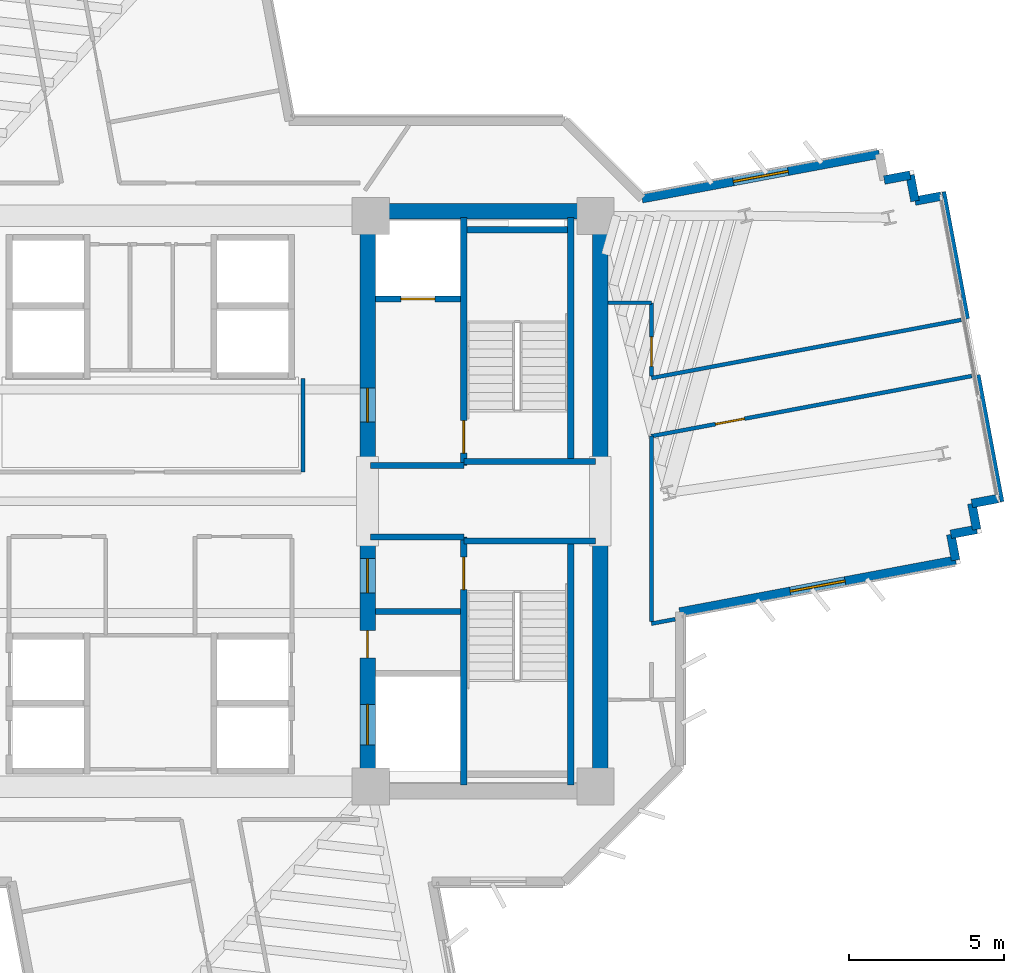
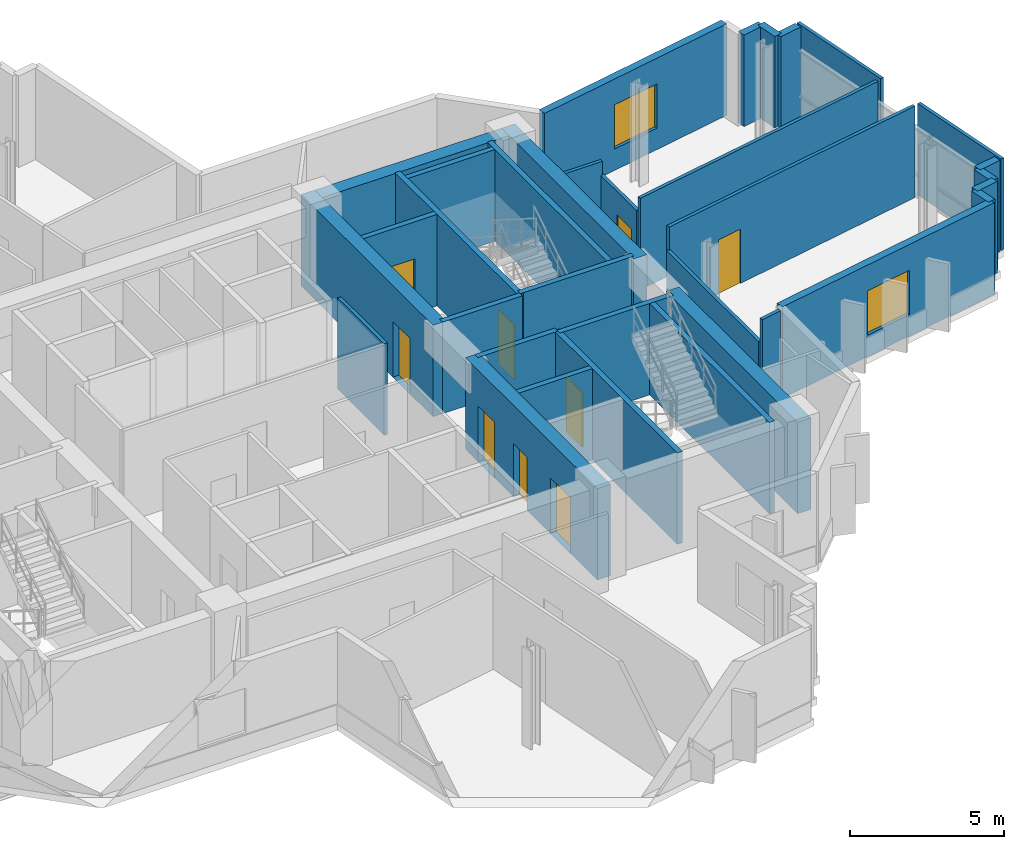
# One storey, part 11 of 16: 34 walls, 9 doors, 2 windows, 11 openings.
"""IFC4 building model written with IfcOpenShell, lengths in metres."""

from ifc_helpers import new_model, si_unit, direction, frame, frame_2d, origin, place, context, subcontext, project, spatial, rectangle, extrude, source, transform, mapped, material, layer, layer_set, type_object, element, fill, save


model = new_model("IFC4")

# Units and contexts
model_context = context("Model", 3, precision=1e-05, world=origin(), true_north=direction((0.0, 1.0)))
body_context = subcontext(model_context, "Body", "Model", "MODEL_VIEW")
ifc_project = project(units=[si_unit("LENGTHUNIT", "METRE"), si_unit("AREAUNIT", "SQUARE_METRE"), si_unit("VOLUMEUNIT", "CUBIC_METRE"), si_unit("PLANEANGLEUNIT", "RADIAN"), si_unit("MASSUNIT", "GRAM", prefix="KILO")], contexts=[model_context])

# Site, building, storey
site_placement = place(None, origin())
site = spatial("IfcSite", under=ifc_project, at=site_placement, CompositionType="ELEMENT")
building_placement = place(site_placement, origin())
building = spatial("IfcBuilding", under=site, at=building_placement, Name="Zahravan Cultural Tower", CompositionType="ELEMENT")
storey_placement = place(building_placement, frame((0.0, 0.0, 155.10009765625)))
storey = spatial("IfcBuildingStorey", under=building, at=storey_placement, Name="L35", CompositionType="ELEMENT", Elevation=155.10009765625)

# Wall, openings, doors
ifc_material_1 = material(Name="Concrete C60/75", Category="concrete")
ifc_layer_1 = layer(ifc_material_1, 0.5)
ifc_layer_set_1 = layer_set([ifc_layer_1], Name="Concrete C60/75")
wall_type_1 = type_object("IfcWallType", Name="CW-SHEAR-500-C60", PredefinedType="SHEAR", material=ifc_layer_set_1)
wall_1_placement = place(storey_placement, frame((43.0, 17.39990234375, 0.0), z_axis=(0.0, 0.0, 1.0), x_axis=(0.0, 1.0, 0.0)))
wall_1 = element("IfcWall", 1, at=wall_1_placement, inside=storey, type_object=wall_type_1, Name="L35 Core Shear Wall CW-E-WS-L35", PredefinedType="SHEAR", context=body_context, shape_type="SweptSolid", body=[
    extrude(rectangle(XDim=8.550048828125, YDim=0.5, at=frame_2d((4.27490234375, 0.0))), origin(), (0.0, 0.0, 1.0), 3.619873046875),
])
opening_1_placement = place(wall_1_placement, frame((6.64990234375, 0.0, 0.0)))
opening_1 = element("IfcOpeningElement", 2, at=opening_1_placement, cuts=wall_1, Name="Opening D-L35-08", PredefinedType="OPENING", context=body_context, shape_type="SweptSolid", body=[
    extrude(rectangle(XDim=1.10009765625, YDim=2.199951171875, at=frame_2d((0.550048828125, 1.10009765625))), frame((0.0, 0.260009765625, 0.0), z_axis=(0.0, -1.0, 0.0), x_axis=(1.0, 0.0, 0.0)), (0.0, 0.0, 1.0), 0.52001953125),
])
opening_2_placement = place(wall_1_placement, frame((1.75, 0.0, 0.0)))
opening_2 = element("IfcOpeningElement", 3, at=opening_2_placement, cuts=wall_1, Name="Opening LD-L35-03", PredefinedType="OPENING", context=body_context, shape_type="SweptSolid", body=[
    extrude(rectangle(XDim=1.300048828125, YDim=2.199951171875, at=frame_2d((0.64990234375, 1.10009765625))), frame((0.0, 0.260009765625, 0.0), z_axis=(0.0, -1.0, 0.0), x_axis=(1.0, 0.0, 0.0)), (0.0, 0.0, 1.0), 0.52001953125),
])
opening_3_placement = place(wall_1_placement, frame((4.550048828125, 0.0, 0.0)))
opening_3 = element("IfcOpeningElement", 4, at=opening_3_placement, cuts=wall_1, Name="Opening D-L35-10", PredefinedType="OPENING", context=body_context, shape_type="SweptSolid", body=[
    extrude(rectangle(XDim=0.8798828125, YDim=2.10009765625, at=frame_2d((0.43994140625, 1.050048828125))), frame((0.0, 0.260009765625, 0.0), z_axis=(0.0, -1.0, 0.0), x_axis=(1.0, 0.0, 0.0)), (0.0, 0.0, 1.0), 0.52001953125),
])
ifc_material_2 = material(Name="Steel ASTM A572 Grade 50", Category="steel")
door_type_1 = type_object("IfcDoorType", Name="DR-LOBBY-1100", OperationType="NOTDEFINED", PredefinedType="DOOR", material=ifc_material_2)
shared_shape_1 = source(origin(), body_context, "Body", "SweptSolid", [
    extrude(rectangle(XDim=1.10009765625, YDim=2.199951171875, at=frame_2d((0.550048828125, 1.10009765625))), frame((0.0, 0.02490234375, 0.0), z_axis=(0.0, -1.0, 0.0), x_axis=(1.0, 0.0, 0.0)), (0.0, 0.0, 1.0), 0.050048828125),
])
door_1_placement = place(opening_1_placement, origin())
door_1 = element("IfcDoor", 5, at=door_1_placement, inside=storey, type_object=door_type_1, Name="L35 Door D-L35-08", OperationType="SINGLE_SWING_RIGHT", OverallHeight=2.199951171875, OverallWidth=1.10009765625, PredefinedType="DOOR", context=body_context, shape_type="MappedRepresentation", body=[
    mapped(shared_shape_1, transform((0.0, 0.0, 0.0), x_axis=(1.0, 0.0, 0.0), y_axis=(0.0, 1.0, 0.0), z_axis=(0.0, 0.0, 1.0), scale=1.0)),
])
fill(opening_1, door_1)
door_type_2 = type_object("IfcDoorType", Name="DR-LIFT-1300", OperationType="DOUBLE_DOOR_SLIDING", PredefinedType="DOOR", material=ifc_material_2)
shared_shape_2 = source(origin(), body_context, "Body", "SweptSolid", [
    extrude(rectangle(XDim=1.300048828125, YDim=2.199951171875, at=frame_2d((0.64990234375, 1.10009765625))), frame((0.0, 0.02490234375, 0.0), z_axis=(0.0, -1.0, 0.0), x_axis=(1.0, 0.0, 0.0)), (0.0, 0.0, 1.0), 0.050048828125),
])
door_2_placement = place(opening_2_placement, origin())
door_2 = element("IfcDoor", 6, at=door_2_placement, inside=storey, type_object=door_type_2, Name="L35 Door LD-L35-03", OperationType="DOUBLE_DOOR_SLIDING", OverallHeight=2.199951171875, OverallWidth=1.300048828125, PredefinedType="DOOR", context=body_context, shape_type="MappedRepresentation", body=[
    mapped(shared_shape_2, transform((0.0, 0.0, 0.0), x_axis=(1.0, 0.0, 0.0), y_axis=(0.0, 1.0, 0.0), z_axis=(0.0, 0.0, 1.0), scale=1.0)),
])
fill(opening_2, door_2)
door_type_3 = type_object("IfcDoorType", Name="DR-SVC-880", OperationType="NOTDEFINED", PredefinedType="DOOR", material=ifc_material_2)
shared_shape_3 = source(origin(), body_context, "Body", "SweptSolid", [
    extrude(rectangle(XDim=0.8798828125, YDim=2.10009765625, at=frame_2d((0.43994140625, 1.050048828125))), frame((0.0, 0.02490234375, 0.0), z_axis=(0.0, -1.0, 0.0), x_axis=(1.0, 0.0, 0.0)), (0.0, 0.0, 1.0), 0.050048828125),
])
door_3_placement = place(opening_3_placement, origin())
door_3 = element("IfcDoor", 7, at=door_3_placement, inside=storey, type_object=door_type_3, Name="L35 Door D-L35-10", OperationType="SINGLE_SWING_RIGHT", OverallHeight=2.10009765625, OverallWidth=0.8798828125, PredefinedType="DOOR", context=body_context, shape_type="MappedRepresentation", body=[
    mapped(shared_shape_3, transform((0.0, 0.0, 0.0), x_axis=(1.0, 0.0, 0.0), y_axis=(0.0, 1.0, 0.0), z_axis=(0.0, 0.0, 1.0), scale=1.0)),
])
fill(opening_3, door_3)

# Wall, opening, door
wall_2_placement = place(storey_placement, frame((43.0, 28.050048828125, 0.0), z_axis=(0.0, 0.0, 1.0), x_axis=(0.0, 1.0, 0.0)))
wall_2 = element("IfcWall", 8, at=wall_2_placement, inside=storey, type_object=wall_type_1, Name="L35 Core Shear Wall CW-E-WN-L35", PredefinedType="SHEAR", context=body_context, shape_type="SweptSolid", body=[
    extrude(rectangle(XDim=8.550048828125, YDim=0.5, at=frame_2d((4.27490234375, 0.0))), origin(), (0.0, 0.0, 1.0), 3.619873046875),
])
opening_4_placement = place(wall_2_placement, frame((1.5, 0.0, 0.0)))
opening_4 = element("IfcOpeningElement", 9, at=opening_4_placement, cuts=wall_2, Name="Opening D-L35-06", PredefinedType="OPENING", context=body_context, shape_type="SweptSolid", body=[
    extrude(rectangle(XDim=1.10009765625, YDim=2.199951171875, at=frame_2d((0.550048828125, 1.10009765625))), frame((0.0, 0.260009765625, 0.0), z_axis=(0.0, -1.0, 0.0), x_axis=(1.0, 0.0, 0.0)), (0.0, 0.0, 1.0), 0.52001953125),
])
door_4_placement = place(opening_4_placement, origin())
door_4 = element("IfcDoor", 10, at=door_4_placement, inside=storey, type_object=door_type_1, Name="L35 Door D-L35-06", OperationType="SINGLE_SWING_RIGHT", OverallHeight=2.199951171875, OverallWidth=1.10009765625, PredefinedType="DOOR", context=body_context, shape_type="MappedRepresentation", body=[
    mapped(shared_shape_1, transform((0.0, 0.0, 0.0), x_axis=(1.0, 0.0, 0.0), y_axis=(0.0, 1.0, 0.0), z_axis=(0.0, 0.0, 1.0), scale=1.0)),
])
fill(opening_4, door_4)

# Wall, opening, window
ifc_material_3 = material(Name="Precast concrete C40/50", Category="concrete")
ifc_layer_2 = layer(ifc_material_3, 0.280029296875)
ifc_layer_set_2 = layer_set([ifc_layer_2], Name="Precast concrete C40/50")
wall_type_2 = type_object("IfcWallType", Name="EW-TC-280", PredefinedType="SOLIDWALL", material=ifc_layer_set_2)
wall_3_placement = place(storey_placement, frame((51.84814453125, 36.75390625, 0.0), z_axis=(0.0, 0.0, 1.0), x_axis=(0.982809278234, 0.18462373254, 0.0)))
wall_3 = element("IfcWall", 11, at=wall_3_placement, inside=storey, type_object=wall_type_2, Name="L35 Exterior Masonry Frame Wall 01", PredefinedType="SOLIDWALL", context=body_context, shape_type="SweptSolid", body=[
    extrude(rectangle(XDim=7.783447265625, YDim=0.280029296875, at=frame_2d((3.8916015625, 0.0))), origin(), (0.0, 0.0, 1.0), 3.619873046875),
])
opening_5_placement = place(wall_3_placement, frame((2.991943359375, 0.0, 0.85009765625)))
opening_5 = element("IfcOpeningElement", 12, at=opening_5_placement, cuts=wall_3, Name="Opening WN-02", PredefinedType="OPENING", context=body_context, shape_type="SweptSolid", body=[
    extrude(rectangle(XDim=1.800048828125, YDim=1.75, at=frame_2d((0.89990234375, 0.875))), frame((0.0, 0.14990234375, 0.0), z_axis=(0.0, -1.0, 0.0), x_axis=(1.0, 0.0, 0.0)), (0.0, 0.0, 1.0), 0.300048828125),
])
ifc_material_4 = material(Name="Low-E solar-control double glazing", Category="glass")
window_type = type_object("IfcWindowType", Name="WN-REC-1800X1750", PartitioningType="DOUBLE_PANEL_VERTICAL", PredefinedType="WINDOW", material=ifc_material_4)
shared_shape_4 = source(origin(), body_context, "Body", "SweptSolid", [
    extrude(rectangle(XDim=1.800048828125, YDim=1.75, at=frame_2d((0.89990234375, 0.875))), frame((0.0, 0.030029296875, 0.0), z_axis=(0.0, -1.0, 0.0), x_axis=(1.0, 0.0, 0.0)), (0.0, 0.0, 1.0), 0.06005859375),
])
window_1_placement = place(opening_5_placement, origin())
window_1 = element("IfcWindow", 13, at=window_1_placement, inside=storey, type_object=window_type, Name="L35 Recessed Solar Window 01", OverallHeight=1.75, OverallWidth=1.800048828125, PartitioningType="DOUBLE_PANEL_VERTICAL", PredefinedType="WINDOW", context=body_context, shape_type="MappedRepresentation", body=[
    mapped(shared_shape_4, transform((0.0, 0.0, 0.0), x_axis=(1.0, 0.0, 0.0), y_axis=(0.0, 1.0, 0.0), z_axis=(0.0, 0.0, 1.0), scale=1.0)),
])
fill(opening_5, window_1)

wall_4_placement = place(storey_placement, frame((61.95703125, 25.099853515625, 0.0), z_axis=(0.0, 0.0, 1.0), x_axis=(-0.982808012228, -0.184630471755, 0.0)))
wall_4 = element("IfcWall", 14, at=wall_4_placement, inside=storey, type_object=wall_type_2, Name="L35 Exterior Masonry Frame Wall 10", PredefinedType="SOLIDWALL", context=body_context, shape_type="SweptSolid", body=[
    extrude(rectangle(XDim=9.052490234375, YDim=0.280029296875, at=frame_2d((4.5263671875, 0.0))), origin(), (0.0, 0.0, 1.0), 3.619873046875),
])
opening_6_placement = place(wall_4_placement, frame((3.6259765625, 0.0, 0.85009765625)))
opening_6 = element("IfcOpeningElement", 15, at=opening_6_placement, cuts=wall_4, Name="Opening WN-02", PredefinedType="OPENING", context=body_context, shape_type="SweptSolid", body=[
    extrude(rectangle(XDim=1.800048828125, YDim=1.75, at=frame_2d((0.89990234375, 0.875))), frame((0.0, 0.14990234375, 0.0), z_axis=(0.0, -1.0, 0.0), x_axis=(1.0, 0.0, 0.0)), (0.0, 0.0, 1.0), 0.300048828125),
])
window_2_placement = place(opening_6_placement, origin())
window_2 = element("IfcWindow", 16, at=window_2_placement, inside=storey, type_object=window_type, Name="L35 Recessed Solar Window 02", OverallHeight=1.75, OverallWidth=1.800048828125, PartitioningType="DOUBLE_PANEL_VERTICAL", PredefinedType="WINDOW", context=body_context, shape_type="MappedRepresentation", body=[
    mapped(shared_shape_4, transform((0.0, 0.0, 0.0), x_axis=(1.0, 0.0, 0.0), y_axis=(0.0, 1.0, 0.0), z_axis=(0.0, 0.0, 1.0), scale=1.0)),
])
fill(opening_6, window_2)

# Wall, opening, door
ifc_material_5 = material(Name="Gypsum plasterboard partition")
ifc_layer_3 = layer(ifc_material_5, 0.125)
ifc_layer_set_3 = layer_set([ifc_layer_3], Name="Gypsum plasterboard partition")
wall_type_3 = type_object("IfcWallType", Name="W-PART-125", PredefinedType="PARTITIONING", material=ifc_layer_set_3)
wall_5_placement = place(storey_placement, frame((52.150146484375, 29.097900390625, 0.0), z_axis=(0.0, 0.0, 1.0), x_axis=(0.982805559331, 0.184643528314, 0.0)))
wall_5 = element("IfcWall", 17, at=wall_5_placement, inside=storey, type_object=wall_type_3, Name="L35 Interior Wall 092", PredefinedType="PARTITIONING", context=body_context, shape_type="SweptSolid", body=[
    extrude(rectangle(XDim=10.505126953125, YDim=0.125, at=frame_2d((5.25244140625, 0.0))), origin(), (0.0, 0.0, 1.0), 3.619873046875),
])
opening_7_placement = place(wall_5_placement, frame((2.102294921875, 0.0, 0.0)))
opening_7 = element("IfcOpeningElement", 18, at=opening_7_placement, cuts=wall_5, Name="Opening D-L35-19", PredefinedType="OPENING", context=body_context, shape_type="SweptSolid", body=[
    extrude(rectangle(XDim=0.949951171875, YDim=2.14990234375, at=frame_2d((0.47509765625, 1.074951171875))), frame((0.0, 0.072509765625, 0.0), z_axis=(0.0, -1.0, 0.0), x_axis=(1.0, 0.0, 0.0)), (0.0, 0.0, 1.0), 0.14501953125),
])
ifc_material_6 = material(Name="Anodised bronze-aluminium mullion", Category="aluminium")
door_type_4 = type_object("IfcDoorType", Name="DR-ROOM-950", OperationType="NOTDEFINED", PredefinedType="DOOR", material=ifc_material_6)
shared_shape_5 = source(origin(), body_context, "Body", "SweptSolid", [
    extrude(rectangle(XDim=0.949951171875, YDim=2.14990234375, at=frame_2d((0.47509765625, 1.074951171875))), frame((0.0, 0.02490234375, 0.0), z_axis=(0.0, -1.0, 0.0), x_axis=(1.0, 0.0, 0.0)), (0.0, 0.0, 1.0), 0.050048828125),
])
door_5_placement = place(opening_7_placement, origin())
door_5 = element("IfcDoor", 19, at=door_5_placement, inside=storey, type_object=door_type_4, Name="L35 Door D-L35-19", OperationType="SINGLE_SWING_LEFT", OverallHeight=2.14990234375, OverallWidth=0.949951171875, PredefinedType="DOOR", context=body_context, shape_type="MappedRepresentation", body=[
    mapped(shared_shape_5, transform((0.0, 0.0, 0.0), x_axis=(1.0, 0.0, 0.0), y_axis=(0.0, 1.0, 0.0), z_axis=(0.0, 0.0, 1.0), scale=1.0)),
])
fill(opening_7, door_5)

wall_6_placement = place(storey_placement, frame((52.14990234375, 31.038818359375, 0.0), z_axis=(0.0, 0.0, 1.0), x_axis=(-0.0004137788, 0.999999914394, 0.0)))
wall_6 = element("IfcWall", 20, at=wall_6_placement, inside=storey, type_object=wall_type_3, Name="L35 Interior Wall 103", PredefinedType="PARTITIONING", context=body_context, shape_type="SweptSolid", body=[
    extrude(rectangle(XDim=2.360107421875, YDim=0.125, at=frame_2d((1.18017578125, 0.0))), origin(), (0.0, 0.0, 1.0), 3.078857421875),
])
opening_8_placement = place(wall_6_placement, frame((0.310302734375, 0.0, 0.0)))
opening_8 = element("IfcOpeningElement", 21, at=opening_8_placement, cuts=wall_6, Name="Opening D-L35-20", PredefinedType="OPENING", context=body_context, shape_type="SweptSolid", body=[
    extrude(rectangle(XDim=0.949951171875, YDim=2.14990234375, at=frame_2d((0.47509765625, 1.074951171875))), frame((0.0, 0.072509765625, 0.0), z_axis=(0.0, -1.0, 0.0), x_axis=(1.0, 0.0, 0.0)), (0.0, 0.0, 1.0), 0.14501953125),
])
door_6_placement = place(opening_8_placement, origin())
door_6 = element("IfcDoor", 22, at=door_6_placement, inside=storey, type_object=door_type_4, Name="L35 Door D-L35-20", OperationType="SINGLE_SWING_RIGHT", OverallHeight=2.14990234375, OverallWidth=0.949951171875, PredefinedType="DOOR", context=body_context, shape_type="MappedRepresentation", body=[
    mapped(shared_shape_5, transform((0.0, 0.0, 0.0), x_axis=(1.0, 0.0, 0.0), y_axis=(0.0, 1.0, 0.0), z_axis=(0.0, 0.0, 1.0), scale=1.0)),
])
fill(opening_8, door_6)

ifc_material_7 = material(Name="Concrete C45/55", Category="concrete")
ifc_layer_4 = layer(ifc_material_7, 0.199951171875)
ifc_layer_set_4 = layer_set([ifc_layer_4], Name="Concrete C45/55")
wall_type_4 = type_object("IfcWallType", Name="W-SHAFT-200", PredefinedType="SOLIDWALL", material=ifc_layer_set_4)
wall_7_placement = place(storey_placement, frame((46.10009765625, 17.85009765625, 0.0), z_axis=(0.0, 0.0, 1.0), x_axis=(0.0, 1.0, 0.0)))
wall_7 = element("IfcWall", 23, at=wall_7_placement, inside=storey, type_object=wall_type_4, Name="L35 Interior Wall 007", PredefinedType="SOLIDWALL", context=body_context, shape_type="SweptSolid", body=[
    extrude(rectangle(XDim=8.0, YDim=0.199951171875, at=frame_2d((4.0, 0.0))), origin(), (0.0, 0.0, 1.0), 3.619873046875),
])
opening_9_placement = place(wall_7_placement, frame((6.300048828125, 0.0, 0.0)))
opening_9 = element("IfcOpeningElement", 24, at=opening_9_placement, cuts=wall_7, Name="Opening D-L35-03", PredefinedType="OPENING", context=body_context, shape_type="SweptSolid", body=[
    extrude(rectangle(XDim=1.050048828125, YDim=2.14990234375, at=frame_2d((0.52490234375, 1.074951171875))), frame((0.0, 0.10986328125, 0.0), z_axis=(0.0, -1.0, 0.0), x_axis=(1.0, 0.0, 0.0)), (0.0, 0.0, 1.0), 0.219970703125),
])
door_type_5 = type_object("IfcDoorType", Name="DR-STAIR-1050", OperationType="NOTDEFINED", PredefinedType="DOOR", material=ifc_material_2)
shared_shape_6 = source(origin(), body_context, "Body", "SweptSolid", [
    extrude(rectangle(XDim=1.050048828125, YDim=2.14990234375, at=frame_2d((0.52490234375, 1.074951171875))), frame((0.0, 0.02490234375, 0.0), z_axis=(0.0, -1.0, 0.0), x_axis=(1.0, 0.0, 0.0)), (0.0, 0.0, 1.0), 0.050048828125),
])
door_7_placement = place(opening_9_placement, origin())
door_7 = element("IfcDoor", 25, at=door_7_placement, inside=storey, type_object=door_type_5, Name="L35 Door D-L35-03", OperationType="SINGLE_SWING_LEFT", OverallHeight=2.14990234375, OverallWidth=1.050048828125, PredefinedType="DOOR", context=body_context, shape_type="MappedRepresentation", body=[
    mapped(shared_shape_6, transform((0.0, 0.0, 0.0), x_axis=(1.0, 0.0, 0.0), y_axis=(0.0, 1.0, 0.0), z_axis=(0.0, 0.0, 1.0), scale=1.0)),
])
fill(opening_9, door_7)

wall_8_placement = place(storey_placement, frame((46.10009765625, 28.14990234375, 0.0), z_axis=(0.0, 0.0, 1.0), x_axis=(0.0, 1.0, 0.0)))
wall_8 = element("IfcWall", 26, at=wall_8_placement, inside=storey, type_object=wall_type_4, Name="L35 Interior Wall 008", PredefinedType="SOLIDWALL", context=body_context, shape_type="SweptSolid", body=[
    extrude(rectangle(XDim=8.0, YDim=0.199951171875, at=frame_2d((4.0, 0.0))), origin(), (0.0, 0.0, 1.0), 3.619873046875),
])
opening_10_placement = place(wall_8_placement, frame((0.39990234375, 0.0, 0.0)))
opening_10 = element("IfcOpeningElement", 27, at=opening_10_placement, cuts=wall_8, Name="Opening D-L35-02", PredefinedType="OPENING", context=body_context, shape_type="SweptSolid", body=[
    extrude(rectangle(XDim=1.050048828125, YDim=2.14990234375, at=frame_2d((0.52490234375, 1.074951171875))), frame((0.0, 0.10986328125, 0.0), z_axis=(0.0, -1.0, 0.0), x_axis=(1.0, 0.0, 0.0)), (0.0, 0.0, 1.0), 0.219970703125),
])
door_8_placement = place(opening_10_placement, origin())
door_8 = element("IfcDoor", 28, at=door_8_placement, inside=storey, type_object=door_type_5, Name="L35 Door D-L35-02", OperationType="SINGLE_SWING_RIGHT", OverallHeight=2.14990234375, OverallWidth=1.050048828125, PredefinedType="DOOR", context=body_context, shape_type="MappedRepresentation", body=[
    mapped(shared_shape_6, transform((0.0, 0.0, 0.0), x_axis=(1.0, 0.0, 0.0), y_axis=(0.0, 1.0, 0.0), z_axis=(0.0, 0.0, 1.0), scale=1.0)),
])
fill(opening_10, door_8)

wall_9_placement = place(storey_placement, frame((43.25, 33.52001953125, 0.0), z_axis=(0.0, 0.0, 1.0), x_axis=(1.0, 0.0, 0.0)))
wall_9 = element("IfcWall", 29, at=wall_9_placement, inside=storey, type_object=wall_type_4, Name="L35 Interior Wall 022", PredefinedType="SOLIDWALL", context=body_context, shape_type="SweptSolid", body=[
    extrude(rectangle(XDim=2.75, YDim=0.199951171875, at=frame_2d((1.375, 0.0))), origin(), (0.0, 0.0, 1.0), 3.619873046875),
])
opening_11_placement = place(wall_9_placement, frame((0.820068359375, 0.0, 0.0)))
opening_11 = element("IfcOpeningElement", 30, at=opening_11_placement, cuts=wall_9, Name="Opening LD-L35-02", PredefinedType="OPENING", context=body_context, shape_type="SweptSolid", body=[
    extrude(rectangle(XDim=1.10009765625, YDim=2.14990234375, at=frame_2d((0.550048828125, 1.074951171875))), frame((0.0, 0.10986328125, 0.0), z_axis=(0.0, -1.0, 0.0), x_axis=(1.0, 0.0, 0.0)), (0.0, 0.0, 1.0), 0.219970703125),
])
door_type_6 = type_object("IfcDoorType", Name="DR-LIFT-1100", OperationType="DOUBLE_DOOR_SLIDING", PredefinedType="DOOR", material=ifc_material_2)
shared_shape_7 = source(origin(), body_context, "Body", "SweptSolid", [
    extrude(rectangle(XDim=1.10009765625, YDim=2.14990234375, at=frame_2d((0.550048828125, 1.074951171875))), frame((0.0, 0.02490234375, 0.0), z_axis=(0.0, -1.0, 0.0), x_axis=(1.0, 0.0, 0.0)), (0.0, 0.0, 1.0), 0.050048828125),
])
door_9_placement = place(opening_11_placement, origin())
door_9 = element("IfcDoor", 31, at=door_9_placement, inside=storey, type_object=door_type_6, Name="L35 Door LD-L35-02", OperationType="DOUBLE_DOOR_SLIDING", OverallHeight=2.14990234375, OverallWidth=1.10009765625, PredefinedType="DOOR", context=body_context, shape_type="MappedRepresentation", body=[
    mapped(shared_shape_7, transform((0.0, 0.0, 0.0), x_axis=(1.0, 0.0, 0.0), y_axis=(0.0, 1.0, 0.0), z_axis=(0.0, 0.0, 1.0), scale=1.0)),
])
fill(opening_11, door_9)

# Walls
shared_shape_8 = source(origin(), body_context, "Body", "SweptSolid", [
    extrude(rectangle(XDim=8.550048828125, YDim=0.5, at=frame_2d((4.27490234375, 0.0))), origin(), (0.0, 0.0, 1.0), 3.619873046875),
])
for number, where, z_axis, x_axis, name in (
    (32, (50.5, 17.39990234375, 0.0), (0.0, 0.0, 1.0), (0.0, 1.0, 0.0), "L35 Core Shear Wall CW-E-ES-L35"),
    (33, (50.5, 28.050048828125, 0.0), (0.0, 0.0, 1.0), (0.0, 1.0, 0.0), "L35 Core Shear Wall CW-E-EN-L35"),
):
    element("IfcWall", number, at=place(storey_placement, frame(where, z_axis=z_axis, x_axis=x_axis)), inside=storey, type_object=wall_type_1, Name=name, PredefinedType="SHEAR", context=body_context, shape_type="MappedRepresentation", body=[
        mapped(shared_shape_8, transform((0.0, 0.0, 0.0), x_axis=(1.0, 0.0, 0.0), y_axis=(0.0, 1.0, 0.0), z_axis=(0.0, 0.0, 1.0), scale=1.0)),
    ])
shared_shape_9 = source(origin(), body_context, "Body", "SweptSolid", [
    extrude(rectangle(XDim=7.0, YDim=0.5, at=frame_2d((3.5, 0.0))), origin(), (0.0, 0.0, 1.0), 3.619873046875),
])
wall_10_placement = place(storey_placement, frame((43.25, 36.35009765625, 0.0), z_axis=(0.0, 0.0, 1.0), x_axis=(1.0, 0.0, 0.0)))
element("IfcWall", 34, at=wall_10_placement, inside=storey, type_object=wall_type_1, Name="L35 Core Shear Wall CW-E-N-L35", PredefinedType="SHEAR", context=body_context, shape_type="MappedRepresentation", body=[
    mapped(shared_shape_9, transform((0.0, 0.0, 0.0), x_axis=(1.0, 0.0, 0.0), y_axis=(0.0, 1.0, 0.0), z_axis=(0.0, 0.0, 1.0), scale=1.0)),
])
shared_shape_10 = source(origin(), body_context, "Body", "SweptSolid", [
    extrude(rectangle(XDim=0.85009765625, YDim=0.280029296875, at=frame_2d((0.425048828125, 0.0))), origin(), (0.0, 0.0, 1.0), 3.619873046875),
])
for number, where, z_axis, x_axis, name in (
    (35, (60.64697265625, 36.67724609375, 0.0), (0.0, 0.0, 1.0), (0.982852672425, 0.184392582027, 0.0), "L35 Exterior Masonry Frame Wall 05"),
    (36, (63.31396484375, 27.084716796875, 0.0), (0.0, 0.0, 1.0), (-0.982800583684, -0.184670010318, 0.0), "L35 Exterior Masonry Frame Wall 06"),
    (37, (62.478515625, 26.927734375, 0.0), (0.0, 0.0, 1.0), (0.184670010318, -0.982800583684, 0.0), "L35 Exterior Masonry Frame Wall 07"),
    (38, (61.80029296875, 25.935302734375, 0.0), (0.0, 0.0, 1.0), (0.184392582027, -0.982852672425, 0.0), "L35 Exterior Masonry Frame Wall 09"),
):
    element("IfcWall", number, at=place(storey_placement, frame(where, z_axis=z_axis, x_axis=x_axis)), inside=storey, type_object=wall_type_2, Name=name, PredefinedType="SOLIDWALL", context=body_context, shape_type="MappedRepresentation", body=[
        mapped(shared_shape_10, transform((0.0, 0.0, 0.0), x_axis=(1.0, 0.0, 0.0), y_axis=(0.0, 1.0, 0.0), z_axis=(0.0, 0.0, 1.0), scale=1.0)),
    ])
shared_shape_11 = source(origin(), body_context, "Body", "SweptSolid", [
    extrude(rectangle(XDim=0.849853515625, YDim=0.280029296875, at=frame_2d((0.4248046875, 0.0))), origin(), (0.0, 0.0, 1.0), 3.619873046875),
])
for number, where, z_axis, x_axis, name in (
    (39, (59.65478515625, 37.35546875, 0.0), (0.0, 0.0, 1.0), (0.982790785128, 0.184722149909, 0.0), "L35 Exterior Masonry Frame Wall 03"),
    (40, (60.489990234375, 37.512451171875, 0.0), (0.0, 0.0, 1.0), (0.184722149909, -0.982790785128, 0.0), "L35 Exterior Masonry Frame Wall 04"),
    (41, (62.635498046875, 26.09228515625, 0.0), (0.0, 0.0, 1.0), (-0.982790785128, -0.184722149909, 0.0), "L35 Exterior Masonry Frame Wall 08"),
):
    element("IfcWall", number, at=place(storey_placement, frame(where, z_axis=z_axis, x_axis=x_axis)), inside=storey, type_object=wall_type_2, Name=name, PredefinedType="SOLIDWALL", context=body_context, shape_type="MappedRepresentation", body=[
        mapped(shared_shape_11, transform((0.0, 0.0, 0.0), x_axis=(1.0, 0.0, 0.0), y_axis=(0.0, 1.0, 0.0), z_axis=(0.0, 0.0, 1.0), scale=1.0)),
    ])
shared_shape_12 = source(origin(), body_context, "Body", "SweptSolid", [
    extrude(rectangle(XDim=7.869873046875, YDim=0.199951171875, at=frame_2d((3.93505859375, 0.0))), origin(), (0.0, 0.0, 1.0), 3.619873046875),
])
for number, where, z_axis, x_axis, name in (
    (42, (49.550048828125, 17.85009765625, 0.0), (0.0, 0.0, 1.0), (0.0, 1.0, 0.0), "L35 Interior Wall 003"),
    (43, (49.550048828125, 28.280029296875, 0.0), (0.0, 0.0, 1.0), (0.0, 1.0, 0.0), "L35 Interior Wall 004"),
):
    element("IfcWall", number, at=place(storey_placement, frame(where, z_axis=z_axis, x_axis=x_axis)), inside=storey, type_object=wall_type_4, Name=name, PredefinedType="SOLIDWALL", context=body_context, shape_type="MappedRepresentation", body=[
        mapped(shared_shape_12, transform((0.0, 0.0, 0.0), x_axis=(1.0, 0.0, 0.0), y_axis=(0.0, 1.0, 0.0), z_axis=(0.0, 0.0, 1.0), scale=1.0)),
    ])
shared_shape_13 = source(origin(), body_context, "Body", "SweptSolid", [
    extrude(rectangle(XDim=4.25, YDim=0.199951171875, at=frame_2d((2.125, 0.0))), origin(), (0.0, 0.0, 1.0), 3.619873046875),
])
for number, where, z_axis, x_axis, name in (
    (44, (46.10009765625, 25.715087890625, 0.0), (0.0, 0.0, 1.0), (1.0, 0.0, 0.0), "L35 Interior Wall 014"),
    (45, (46.10009765625, 28.284912109375, 0.0), (0.0, 0.0, 1.0), (1.0, 0.0, 0.0), "L35 Interior Wall 016"),
):
    element("IfcWall", number, at=place(storey_placement, frame(where, z_axis=z_axis, x_axis=x_axis)), inside=storey, type_object=wall_type_4, Name=name, PredefinedType="SOLIDWALL", context=body_context, shape_type="MappedRepresentation", body=[
        mapped(shared_shape_13, transform((0.0, 0.0, 0.0), x_axis=(1.0, 0.0, 0.0), y_axis=(0.0, 1.0, 0.0), z_axis=(0.0, 0.0, 1.0), scale=1.0)),
    ])
shared_shape_14 = source(origin(), body_context, "Body", "SweptSolid", [
    extrude(rectangle(XDim=3.0, YDim=0.199951171875, at=frame_2d((1.5, 0.0))), origin(), (0.0, 0.0, 1.0), 3.619873046875),
])
for number, where, z_axis, x_axis, name in (
    (46, (43.10009765625, 25.85009765625, 0.0), (0.0, 0.0, 1.0), (1.0, 0.0, 0.0), "L35 Interior Wall 013"),
    (47, (43.10009765625, 28.14990234375, 0.0), (0.0, 0.0, 1.0), (1.0, 0.0, 0.0), "L35 Interior Wall 015"),
):
    element("IfcWall", number, at=place(storey_placement, frame(where, z_axis=z_axis, x_axis=x_axis)), inside=storey, type_object=wall_type_4, Name=name, PredefinedType="SOLIDWALL", context=body_context, shape_type="MappedRepresentation", body=[
        mapped(shared_shape_14, transform((0.0, 0.0, 0.0), x_axis=(1.0, 0.0, 0.0), y_axis=(0.0, 1.0, 0.0), z_axis=(0.0, 0.0, 1.0), scale=1.0)),
    ])
shared_shape_15 = source(origin(), body_context, "Body", "SweptSolid", [
    extrude(rectangle(XDim=3.25, YDim=0.199951171875, at=frame_2d((1.625, 0.0))), origin(), (0.0, 0.0, 1.0), 3.619873046875),
])
wall_11_placement = place(storey_placement, frame((46.199951171875, 35.75, 0.0), z_axis=(0.0, 0.0, 1.0), x_axis=(1.0, 0.0, 0.0)))
element("IfcWall", 48, at=wall_11_placement, inside=storey, type_object=wall_type_4, Name="L35 Interior Wall 018", PredefinedType="SOLIDWALL", context=body_context, shape_type="MappedRepresentation", body=[
    mapped(shared_shape_15, transform((0.0, 0.0, 0.0), x_axis=(1.0, 0.0, 0.0), y_axis=(0.0, 1.0, 0.0), z_axis=(0.0, 0.0, 1.0), scale=1.0)),
])
shared_shape_16 = source(origin(), body_context, "Body", "SweptSolid", [
    extrude(rectangle(XDim=2.75, YDim=0.199951171875, at=frame_2d((1.375, 0.0))), origin(), (0.0, 0.0, 1.0), 3.619873046875),
])
wall_12_placement = place(storey_placement, frame((43.25, 23.449951171875, 0.0), z_axis=(0.0, 0.0, 1.0), x_axis=(1.0, 0.0, 0.0)))
element("IfcWall", 49, at=wall_12_placement, inside=storey, type_object=wall_type_4, Name="L35 Interior Wall 024", PredefinedType="SOLIDWALL", context=body_context, shape_type="MappedRepresentation", body=[
    mapped(shared_shape_16, transform((0.0, 0.0, 0.0), x_axis=(1.0, 0.0, 0.0), y_axis=(0.0, 1.0, 0.0), z_axis=(0.0, 0.0, 1.0), scale=1.0)),
])
shared_shape_17 = source(origin(), body_context, "Body", "SweptSolid", [
    extrude(rectangle(XDim=3.010009765625, YDim=0.125, at=frame_2d((1.5048828125, 0.0))), origin(), (0.0, 0.0, 1.0), 3.619873046875),
])
wall_13_placement = place(storey_placement, frame((40.919921875, 30.949951171875, 0.0), z_axis=(0.0, 0.0, 1.0), x_axis=(0.0, -1.0, 0.0)))
element("IfcWall", 50, at=wall_13_placement, inside=storey, type_object=wall_type_3, Name="L35 Interior Wall 084", PredefinedType="PARTITIONING", context=body_context, shape_type="MappedRepresentation", body=[
    mapped(shared_shape_17, transform((0.0, 0.0, 0.0), x_axis=(1.0, 0.0, 0.0), y_axis=(0.0, 1.0, 0.0), z_axis=(0.0, 0.0, 1.0), scale=1.0)),
])
shared_shape_18 = source(origin(), body_context, "Body", "SweptSolid", [
    extrude(rectangle(XDim=4.159912109375, YDim=0.125, at=frame_2d((2.080078125, 0.0))), origin(), (0.0, 0.0, 1.0), 3.619873046875),
])
for number, where, z_axis, x_axis, name in (
    (51, (62.68603515625, 31.077392578125, 0.0), (0.0, 0.0, 1.0), (0.184635785614, -0.982807013951, 0.0), "L35 Interior Wall 089"),
    (52, (61.578125, 36.97412109375, 0.0), (0.0, 0.0, 1.0), (0.184635785614, -0.982807013951, 0.0), "L35 Interior Wall 101"),
):
    element("IfcWall", number, at=place(storey_placement, frame(where, z_axis=z_axis, x_axis=x_axis)), inside=storey, type_object=wall_type_3, Name=name, PredefinedType="PARTITIONING", context=body_context, shape_type="MappedRepresentation", body=[
        mapped(shared_shape_18, transform((0.0, 0.0, 0.0), x_axis=(1.0, 0.0, 0.0), y_axis=(0.0, 1.0, 0.0), z_axis=(0.0, 0.0, 1.0), scale=1.0)),
    ])
shared_shape_19 = source(origin(), body_context, "Body", "SweptSolid", [
    extrude(rectangle(XDim=0.778564453125, YDim=0.125, at=frame_2d((0.38916015625, 0.0))), origin(), (0.0, 0.0, 1.0), 3.619873046875),
])
wall_14_placement = place(storey_placement, frame((52.9150390625, 23.19775390625, 0.0), z_axis=(0.0, 0.0, 1.0), x_axis=(-0.982850878619, -0.184402143149, 0.0)))
element("IfcWall", 53, at=wall_14_placement, inside=storey, type_object=wall_type_3, Name="L35 Interior Wall 090", PredefinedType="PARTITIONING", context=body_context, shape_type="MappedRepresentation", body=[
    mapped(shared_shape_19, transform((0.0, 0.0, 0.0), x_axis=(1.0, 0.0, 0.0), y_axis=(0.0, 1.0, 0.0), z_axis=(0.0, 0.0, 1.0), scale=1.0)),
])
shared_shape_20 = source(origin(), body_context, "Body", "SweptSolid", [
    extrude(rectangle(XDim=10.15966796875, YDim=0.125, at=frame_2d((5.079833984375, 0.0))), origin(), (0.0, 0.0, 1.0), 3.619873046875),
])
wall_15_placement = place(storey_placement, frame((62.135009765625, 32.845947265625, 0.0), z_axis=(0.0, 0.0, 1.0), x_axis=(-0.982809288671, -0.184623676981, 0.0)))
element("IfcWall", 54, at=wall_15_placement, inside=storey, type_object=wall_type_3, Name="L35 Interior Wall 102", PredefinedType="PARTITIONING", context=body_context, shape_type="MappedRepresentation", body=[
    mapped(shared_shape_20, transform((0.0, 0.0, 0.0), x_axis=(1.0, 0.0, 0.0), y_axis=(0.0, 1.0, 0.0), z_axis=(0.0, 0.0, 1.0), scale=1.0)),
])
shared_shape_21 = source(origin(), body_context, "Body", "SweptSolid", [
    extrude(rectangle(XDim=1.39404296875, YDim=0.125, at=frame_2d((0.697021484375, 0.0))), origin(), (0.0, 0.0, 1.0), 3.619873046875),
])
wall_16_placement = place(storey_placement, frame((52.14892578125, 33.39892578125, 0.0), z_axis=(0.0, 0.0, 1.0), x_axis=(-0.999999754632, 0.000700525222, 0.0)))
element("IfcWall", 55, at=wall_16_placement, inside=storey, type_object=wall_type_3, Name="L35 Interior Wall 104", PredefinedType="PARTITIONING", context=body_context, shape_type="MappedRepresentation", body=[
    mapped(shared_shape_21, transform((0.0, 0.0, 0.0), x_axis=(1.0, 0.0, 0.0), y_axis=(0.0, 1.0, 0.0), z_axis=(0.0, 0.0, 1.0), scale=1.0)),
])
shared_shape_22 = source(origin(), body_context, "Body", "SweptSolid", [
    extrude(rectangle(XDim=5.97509765625, YDim=0.125, at=frame_2d((2.987548828125, 0.0))), origin(), (0.0, 0.0, 1.0), 2.69287109375),
])
wall_17_placement = place(storey_placement, frame((52.14990234375, 23.122802734375, 0.0), z_axis=(0.0, 0.0, 1.0), x_axis=(0.0, 1.0, 0.0)))
element("IfcWall", 56, at=wall_17_placement, inside=storey, type_object=wall_type_3, Name="L35 Interior Wall 091", PredefinedType="PARTITIONING", context=body_context, shape_type="MappedRepresentation", body=[
    mapped(shared_shape_22, transform((0.0, 0.0, 0.0), x_axis=(1.0, 0.0, 0.0), y_axis=(0.0, 1.0, 0.0), z_axis=(0.0, 0.0, 1.0), scale=1.0)),
])

save(model, "model.ifc")
